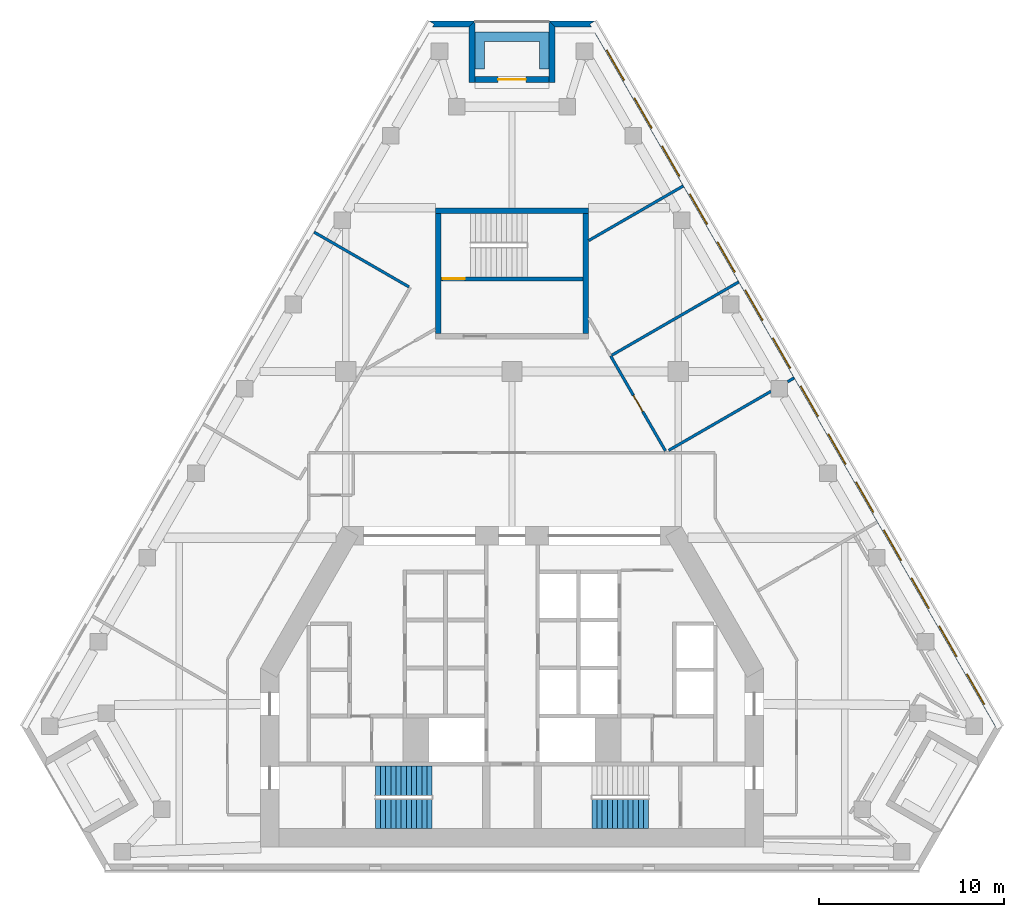
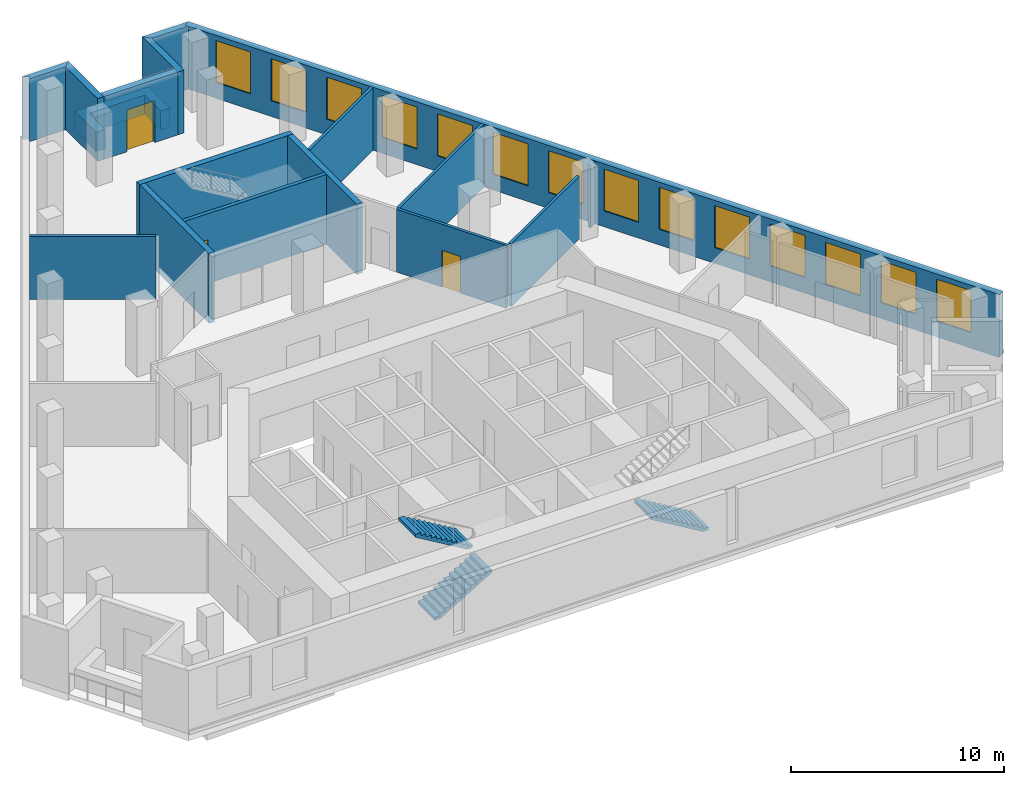
# One storey, part 6 of 8: 17 walls, 14 windows, 3 doors, 3 stair flights, 17 openings, 2 elements without a shape of their own.
"""IFC4 building model written with IfcOpenShell, lengths in metres."""

from ifc_helpers import new_model, si_unit, direction, frame, frame_2d, origin, place, context, subcontext, project, spatial, polyline, rectangle, outline, extrude, material, layer, layer_set, type_object, element, fill, aggregate, save


model = new_model("IFC4")

# Units and contexts
model_context = context("Model", 3, precision=1e-05, world=origin(), true_north=direction((0.0, 1.0)))
body_context = subcontext(model_context, "Body", "Model", "MODEL_VIEW")
ifc_project = project(units=[si_unit("LENGTHUNIT", "METRE"), si_unit("AREAUNIT", "SQUARE_METRE"), si_unit("VOLUMEUNIT", "CUBIC_METRE"), si_unit("PLANEANGLEUNIT", "RADIAN"), si_unit("MASSUNIT", "GRAM", prefix="KILO")], contexts=[model_context])

# Site, building, storey
site_placement = place(None, origin())
site = spatial("IfcSite", under=ifc_project, at=site_placement, CompositionType="ELEMENT")
building_placement = place(site_placement, origin())
building = spatial("IfcBuilding", under=site, at=building_placement, Name="Fogline Exchange Tower", CompositionType="ELEMENT")
storey_placement = place(building_placement, frame((0.0, 0.0, 243.5)))
storey = spatial("IfcBuildingStorey", under=building, at=storey_placement, Name="L55", CompositionType="ELEMENT", Elevation=243.5)

# Wall, opening, door
ifc_material_1 = material(Name="Concrete C40", Category="concrete")
ifc_layer_1 = layer(ifc_material_1, 0.199951171875)
ifc_layer_set_1 = layer_set([ifc_layer_1], Name="CW20R")
wall_type_1 = type_object("IfcWallType", Name="CW20R", PredefinedType="SOLIDWALL", material=ifc_layer_set_1)
wall_1_placement = place(storey_placement, frame((-3.85009765625, 32.007080078125, -0.39990234375), z_axis=(0.0, 0.0, 1.0), x_axis=(1.0, 0.0, 0.0)))
wall_1 = element("IfcWall", 1, at=wall_1_placement, inside=storey, type_object=wall_type_1, Name="Stair enclosure wall ST3", PredefinedType="SOLIDWALL", context=body_context, shape_type="SweptSolid", body=[
    extrude(rectangle(XDim=7.7001953125, YDim=0.199951171875, at=frame_2d((3.85009765625, 0.0))), origin(), (0.0, 0.0, 1.0), 4.0),
])
opening_1_placement = place(wall_1_placement, frame((0.10009765625, 0.0, 0.39990234375)))
opening_1 = element("IfcOpeningElement", 2, at=opening_1_placement, cuts=wall_1, Name="Opening T17-C026", PredefinedType="OPENING", context=body_context, shape_type="SweptSolid", body=[
    extrude(rectangle(XDim=1.199951171875, YDim=2.10009765625, at=frame_2d((0.60009765625, 1.050048828125))), frame((0.0, 0.10986328125, 0.0), z_axis=(0.0, -1.0, 0.0), x_axis=(1.0, 0.0, 0.0)), (0.0, 0.0, 1.0), 0.219970703125),
])
ifc_material_2 = material(Name="Steel and timber fire door", Category="steel")
door_type_1 = type_object("IfcDoorType", Name="D-ST1", OperationType="SINGLE_SWING_LEFT", PredefinedType="DOOR", material=ifc_material_2)
door_1_placement = place(opening_1_placement, origin())
door_1 = element("IfcDoor", 3, at=door_1_placement, inside=storey, type_object=door_type_1, Name="Stair door ST3", OperationType="SINGLE_SWING_LEFT", OverallHeight=2.10009765625, OverallWidth=1.199951171875, PredefinedType="DOOR", context=body_context, shape_type="SweptSolid", body=[
    extrude(rectangle(XDim=1.199951171875, YDim=2.10009765625, at=frame_2d((0.60009765625, 1.050048828125))), frame((0.0, 0.02490234375, 0.0), z_axis=(0.0, -1.0, 0.0), x_axis=(1.0, 0.0, 0.0)), (0.0, 0.0, 1.0), 0.050048828125),
])
fill(opening_1, door_1)

# Walls
ifc_layer_2 = layer(ifc_material_1, 0.300048828125)
ifc_layer_set_2 = layer_set([ifc_layer_2], Name="CW30")
wall_type_2 = type_object("IfcWallType", Name="CW30", PredefinedType="SOLIDWALL", material=ifc_layer_set_2)
wall_2_placement = place(storey_placement, frame((-4.14990234375, 35.70703125, -0.39990234375), z_axis=(0.0, 0.0, 1.0), x_axis=(1.0, 0.0, 0.0)))
element("IfcWall", 4, at=wall_2_placement, inside=storey, type_object=wall_type_2, Name="Stair enclosure wall ST3", PredefinedType="SOLIDWALL", context=body_context, shape_type="SweptSolid", body=[
    extrude(rectangle(XDim=8.2998046875, YDim=0.300048828125, at=frame_2d((4.14990234375, 0.0))), origin(), (0.0, 0.0, 1.0), 4.0),
])
for number, where, z_axis, x_axis, name in (
    (5, (-4.0, 29.056884765625, -0.39990234375), (0.0, 0.0, 1.0), (0.0, 1.0, 0.0), "Stair enclosure wall ST3"),
    (6, (4.0, 29.056884765625, -0.39990234375), (0.0, 0.0, 1.0), (0.0, 1.0, 0.0), "Stair enclosure wall ST3"),
):
    element("IfcWall", number, at=place(storey_placement, frame(where, z_axis=z_axis, x_axis=x_axis)), inside=storey, type_object=wall_type_2, Name=name, PredefinedType="SOLIDWALL", context=body_context, shape_type="SweptSolid", body=[
        extrude(rectangle(XDim=6.5, YDim=0.300048828125, at=frame_2d((3.25, 0.0))), origin(), (0.0, 0.0, 1.0), 4.0),
    ])

# Wall, openings, windows
ifc_material_3 = material(Name="Brick masonry", Category="masonry")
ifc_layer_3 = layer(ifc_material_3, 0.340087890625)
ifc_layer_set_3 = layer_set([ifc_layer_3], Name="FW1")
wall_type_3 = type_object("IfcWallType", Name="FW1", PredefinedType="SOLIDWALL", material=ifc_layer_set_3)
wall_3_placement = place(storey_placement, frame((26.39453125, 7.709228515625, 0.0), z_axis=(0.0, 0.0, 1.0), x_axis=(-0.499999383836, 0.866025759527, 0.0)))
wall_3 = element("IfcWall", 7, at=wall_3_placement, inside=storey, type_object=wall_type_3, Name="Brick wall L55 E", PredefinedType="SOLIDWALL", context=body_context, shape_type="SweptSolid", body=[
    extrude(rectangle(XDim=44.08349609375, YDim=0.340087890625, at=frame_2d((22.041748046875, 0.0))), origin(), (0.0, 0.0, 1.0), 3.60009765625),
])
opening_2_placement = place(wall_3_placement, frame((1.520751953125, 0.0, 0.89990234375)))
opening_2 = element("IfcOpeningElement", 8, at=opening_2_placement, cuts=wall_3, Name="Opening W1", PredefinedType="OPENING", context=body_context, shape_type="SweptSolid", body=[
    extrude(rectangle(XDim=1.885009765625, YDim=2.39990234375, at=frame_2d((0.9423828125, 1.199951171875))), frame((0.0, 0.18017578125, 0.0), z_axis=(0.0, -1.0, 0.0), x_axis=(1.0, 0.0, 0.0)), (0.0, 0.0, 1.0), 0.360107421875),
])
opening_3_placement = place(wall_3_placement, frame((4.520751953125, 0.0, 0.89990234375)))
opening_3 = element("IfcOpeningElement", 9, at=opening_3_placement, cuts=wall_3, Name="Opening W1", PredefinedType="OPENING", context=body_context, shape_type="SweptSolid", body=[
    extrude(rectangle(XDim=1.885009765625, YDim=2.39990234375, at=frame_2d((0.9423828125, 1.199951171875))), frame((0.0, 0.18017578125, 0.0), z_axis=(0.0, -1.0, 0.0), x_axis=(1.0, 0.0, 0.0)), (0.0, 0.0, 1.0), 0.360107421875),
])
opening_4_placement = place(wall_3_placement, frame((7.520751953125, 0.0, 0.89990234375)))
opening_4 = element("IfcOpeningElement", 10, at=opening_4_placement, cuts=wall_3, Name="Opening W1", PredefinedType="OPENING", context=body_context, shape_type="SweptSolid", body=[
    extrude(rectangle(XDim=1.885009765625, YDim=2.39990234375, at=frame_2d((0.9423828125, 1.199951171875))), frame((0.0, 0.18017578125, 0.0), z_axis=(0.0, -1.0, 0.0), x_axis=(1.0, 0.0, 0.0)), (0.0, 0.0, 1.0), 0.360107421875),
])
opening_5_placement = place(wall_3_placement, frame((10.520751953125, 0.0, 0.89990234375)))
opening_5 = element("IfcOpeningElement", 11, at=opening_5_placement, cuts=wall_3, Name="Opening W1", PredefinedType="OPENING", context=body_context, shape_type="SweptSolid", body=[
    extrude(rectangle(XDim=1.885009765625, YDim=2.39990234375, at=frame_2d((0.9423828125, 1.199951171875))), frame((0.0, 0.18017578125, 0.0), z_axis=(0.0, -1.0, 0.0), x_axis=(1.0, 0.0, 0.0)), (0.0, 0.0, 1.0), 0.360107421875),
])
opening_6_placement = place(wall_3_placement, frame((13.520751953125, 0.0, 0.89990234375)))
opening_6 = element("IfcOpeningElement", 12, at=opening_6_placement, cuts=wall_3, Name="Opening W1", PredefinedType="OPENING", context=body_context, shape_type="SweptSolid", body=[
    extrude(rectangle(XDim=1.885009765625, YDim=2.39990234375, at=frame_2d((0.9423828125, 1.199951171875))), frame((0.0, 0.18017578125, 0.0), z_axis=(0.0, -1.0, 0.0), x_axis=(1.0, 0.0, 0.0)), (0.0, 0.0, 1.0), 0.360107421875),
])
opening_7_placement = place(wall_3_placement, frame((16.520751953125, 0.0, 0.89990234375)))
opening_7 = element("IfcOpeningElement", 13, at=opening_7_placement, cuts=wall_3, Name="Opening W1", PredefinedType="OPENING", context=body_context, shape_type="SweptSolid", body=[
    extrude(rectangle(XDim=1.885009765625, YDim=2.39990234375, at=frame_2d((0.9423828125, 1.199951171875))), frame((0.0, 0.18017578125, 0.0), z_axis=(0.0, -1.0, 0.0), x_axis=(1.0, 0.0, 0.0)), (0.0, 0.0, 1.0), 0.360107421875),
])
opening_8_placement = place(wall_3_placement, frame((19.520751953125, 0.0, 0.89990234375)))
opening_8 = element("IfcOpeningElement", 14, at=opening_8_placement, cuts=wall_3, Name="Opening W1", PredefinedType="OPENING", context=body_context, shape_type="SweptSolid", body=[
    extrude(rectangle(XDim=1.885009765625, YDim=2.39990234375, at=frame_2d((0.9423828125, 1.199951171875))), frame((0.0, 0.18017578125, 0.0), z_axis=(0.0, -1.0, 0.0), x_axis=(1.0, 0.0, 0.0)), (0.0, 0.0, 1.0), 0.360107421875),
])
opening_9_placement = place(wall_3_placement, frame((22.520751953125, 0.0, 0.89990234375)))
opening_9 = element("IfcOpeningElement", 15, at=opening_9_placement, cuts=wall_3, Name="Opening W1", PredefinedType="OPENING", context=body_context, shape_type="SweptSolid", body=[
    extrude(rectangle(XDim=1.885009765625, YDim=2.39990234375, at=frame_2d((0.9423828125, 1.199951171875))), frame((0.0, 0.18017578125, 0.0), z_axis=(0.0, -1.0, 0.0), x_axis=(1.0, 0.0, 0.0)), (0.0, 0.0, 1.0), 0.360107421875),
])
opening_10_placement = place(wall_3_placement, frame((25.520751953125, 0.0, 0.89990234375)))
opening_10 = element("IfcOpeningElement", 16, at=opening_10_placement, cuts=wall_3, Name="Opening W1", PredefinedType="OPENING", context=body_context, shape_type="SweptSolid", body=[
    extrude(rectangle(XDim=1.885009765625, YDim=2.39990234375, at=frame_2d((0.9423828125, 1.199951171875))), frame((0.0, 0.18017578125, 0.0), z_axis=(0.0, -1.0, 0.0), x_axis=(1.0, 0.0, 0.0)), (0.0, 0.0, 1.0), 0.360107421875),
])
opening_11_placement = place(wall_3_placement, frame((28.520751953125, 0.0, 0.89990234375)))
opening_11 = element("IfcOpeningElement", 17, at=opening_11_placement, cuts=wall_3, Name="Opening W1", PredefinedType="OPENING", context=body_context, shape_type="SweptSolid", body=[
    extrude(rectangle(XDim=1.885009765625, YDim=2.39990234375, at=frame_2d((0.9423828125, 1.199951171875))), frame((0.0, 0.18017578125, 0.0), z_axis=(0.0, -1.0, 0.0), x_axis=(1.0, 0.0, 0.0)), (0.0, 0.0, 1.0), 0.360107421875),
])
opening_12_placement = place(wall_3_placement, frame((31.520751953125, 0.0, 0.89990234375)))
opening_12 = element("IfcOpeningElement", 18, at=opening_12_placement, cuts=wall_3, Name="Opening W1", PredefinedType="OPENING", context=body_context, shape_type="SweptSolid", body=[
    extrude(rectangle(XDim=1.885009765625, YDim=2.39990234375, at=frame_2d((0.9423828125, 1.199951171875))), frame((0.0, 0.18017578125, 0.0), z_axis=(0.0, -1.0, 0.0), x_axis=(1.0, 0.0, 0.0)), (0.0, 0.0, 1.0), 0.360107421875),
])
opening_13_placement = place(wall_3_placement, frame((34.520751953125, 0.0, 0.89990234375)))
opening_13 = element("IfcOpeningElement", 19, at=opening_13_placement, cuts=wall_3, Name="Opening W1", PredefinedType="OPENING", context=body_context, shape_type="SweptSolid", body=[
    extrude(rectangle(XDim=1.885009765625, YDim=2.39990234375, at=frame_2d((0.9423828125, 1.199951171875))), frame((0.0, 0.18017578125, 0.0), z_axis=(0.0, -1.0, 0.0), x_axis=(1.0, 0.0, 0.0)), (0.0, 0.0, 1.0), 0.360107421875),
])
opening_14_placement = place(wall_3_placement, frame((37.520751953125, 0.0, 0.89990234375)))
opening_14 = element("IfcOpeningElement", 20, at=opening_14_placement, cuts=wall_3, Name="Opening W1", PredefinedType="OPENING", context=body_context, shape_type="SweptSolid", body=[
    extrude(rectangle(XDim=1.885009765625, YDim=2.39990234375, at=frame_2d((0.9423828125, 1.199951171875))), frame((0.0, 0.18017578125, 0.0), z_axis=(0.0, -1.0, 0.0), x_axis=(1.0, 0.0, 0.0)), (0.0, 0.0, 1.0), 0.360107421875),
])
opening_15_placement = place(wall_3_placement, frame((40.520751953125, 0.0, 0.89990234375)))
opening_15 = element("IfcOpeningElement", 21, at=opening_15_placement, cuts=wall_3, Name="Opening W1", PredefinedType="OPENING", context=body_context, shape_type="SweptSolid", body=[
    extrude(rectangle(XDim=1.885009765625, YDim=2.39990234375, at=frame_2d((0.9423828125, 1.199951171875))), frame((0.0, 0.18017578125, 0.0), z_axis=(0.0, -1.0, 0.0), x_axis=(1.0, 0.0, 0.0)), (0.0, 0.0, 1.0), 0.360107421875),
])
ifc_material_4 = material(Name="Aluminium and glass", Category="aluminium")
window_type = type_object("IfcWindowType", Name="W1", PartitioningType="SINGLE_PANEL", PredefinedType="WINDOW", material=ifc_material_4)
window_1_placement = place(opening_2_placement, origin())
window_1 = element("IfcWindow", 22, at=window_1_placement, inside=storey, type_object=window_type, Name="W1 W1", OverallHeight=2.39990234375, OverallWidth=1.885009765625, PartitioningType="SINGLE_PANEL", PredefinedType="WINDOW", context=body_context, shape_type="SweptSolid", body=[
    extrude(rectangle(XDim=1.885009765625, YDim=2.39990234375, at=frame_2d((0.9423828125, 1.199951171875))), frame((0.0, 0.110107421875, 0.0), z_axis=(0.0, -1.0, 0.0), x_axis=(1.0, 0.0, 0.0)), (0.0, 0.0, 1.0), 0.06005859375),
])
fill(opening_2, window_1)
window_2_placement = place(opening_3_placement, origin())
window_2 = element("IfcWindow", 23, at=window_2_placement, inside=storey, type_object=window_type, Name="W1 W1", OverallHeight=2.39990234375, OverallWidth=1.885009765625, PartitioningType="SINGLE_PANEL", PredefinedType="WINDOW", context=body_context, shape_type="SweptSolid", body=[
    extrude(rectangle(XDim=1.885009765625, YDim=2.39990234375, at=frame_2d((0.9423828125, 1.199951171875))), frame((0.0, 0.110107421875, 0.0), z_axis=(0.0, -1.0, 0.0), x_axis=(1.0, 0.0, 0.0)), (0.0, 0.0, 1.0), 0.06005859375),
])
fill(opening_3, window_2)
window_3_placement = place(opening_4_placement, origin())
window_3 = element("IfcWindow", 24, at=window_3_placement, inside=storey, type_object=window_type, Name="W1 W1", OverallHeight=2.39990234375, OverallWidth=1.885009765625, PartitioningType="SINGLE_PANEL", PredefinedType="WINDOW", context=body_context, shape_type="SweptSolid", body=[
    extrude(rectangle(XDim=1.885009765625, YDim=2.39990234375, at=frame_2d((0.9423828125, 1.199951171875))), frame((0.0, 0.110107421875, 0.0), z_axis=(0.0, -1.0, 0.0), x_axis=(1.0, 0.0, 0.0)), (0.0, 0.0, 1.0), 0.06005859375),
])
fill(opening_4, window_3)
window_4_placement = place(opening_5_placement, origin())
window_4 = element("IfcWindow", 25, at=window_4_placement, inside=storey, type_object=window_type, Name="W1 W1", OverallHeight=2.39990234375, OverallWidth=1.885009765625, PartitioningType="SINGLE_PANEL", PredefinedType="WINDOW", context=body_context, shape_type="SweptSolid", body=[
    extrude(rectangle(XDim=1.885009765625, YDim=2.39990234375, at=frame_2d((0.9423828125, 1.199951171875))), frame((0.0, 0.110107421875, 0.0), z_axis=(0.0, -1.0, 0.0), x_axis=(1.0, 0.0, 0.0)), (0.0, 0.0, 1.0), 0.06005859375),
])
fill(opening_5, window_4)
window_5_placement = place(opening_6_placement, origin())
window_5 = element("IfcWindow", 26, at=window_5_placement, inside=storey, type_object=window_type, Name="W1 W1", OverallHeight=2.39990234375, OverallWidth=1.885009765625, PartitioningType="SINGLE_PANEL", PredefinedType="WINDOW", context=body_context, shape_type="SweptSolid", body=[
    extrude(rectangle(XDim=1.885009765625, YDim=2.39990234375, at=frame_2d((0.9423828125, 1.199951171875))), frame((0.0, 0.110107421875, 0.0), z_axis=(0.0, -1.0, 0.0), x_axis=(1.0, 0.0, 0.0)), (0.0, 0.0, 1.0), 0.06005859375),
])
fill(opening_6, window_5)
window_6_placement = place(opening_7_placement, origin())
window_6 = element("IfcWindow", 27, at=window_6_placement, inside=storey, type_object=window_type, Name="W1 W1", OverallHeight=2.39990234375, OverallWidth=1.885009765625, PartitioningType="SINGLE_PANEL", PredefinedType="WINDOW", context=body_context, shape_type="SweptSolid", body=[
    extrude(rectangle(XDim=1.885009765625, YDim=2.39990234375, at=frame_2d((0.9423828125, 1.199951171875))), frame((0.0, 0.110107421875, 0.0), z_axis=(0.0, -1.0, 0.0), x_axis=(1.0, 0.0, 0.0)), (0.0, 0.0, 1.0), 0.06005859375),
])
fill(opening_7, window_6)
window_7_placement = place(opening_8_placement, origin())
window_7 = element("IfcWindow", 28, at=window_7_placement, inside=storey, type_object=window_type, Name="W1 W1", OverallHeight=2.39990234375, OverallWidth=1.885009765625, PartitioningType="SINGLE_PANEL", PredefinedType="WINDOW", context=body_context, shape_type="SweptSolid", body=[
    extrude(rectangle(XDim=1.885009765625, YDim=2.39990234375, at=frame_2d((0.9423828125, 1.199951171875))), frame((0.0, 0.110107421875, 0.0), z_axis=(0.0, -1.0, 0.0), x_axis=(1.0, 0.0, 0.0)), (0.0, 0.0, 1.0), 0.06005859375),
])
fill(opening_8, window_7)
window_8_placement = place(opening_9_placement, origin())
window_8 = element("IfcWindow", 29, at=window_8_placement, inside=storey, type_object=window_type, Name="W1 W1", OverallHeight=2.39990234375, OverallWidth=1.885009765625, PartitioningType="SINGLE_PANEL", PredefinedType="WINDOW", context=body_context, shape_type="SweptSolid", body=[
    extrude(rectangle(XDim=1.885009765625, YDim=2.39990234375, at=frame_2d((0.9423828125, 1.199951171875))), frame((0.0, 0.110107421875, 0.0), z_axis=(0.0, -1.0, 0.0), x_axis=(1.0, 0.0, 0.0)), (0.0, 0.0, 1.0), 0.06005859375),
])
fill(opening_9, window_8)
window_9_placement = place(opening_10_placement, origin())
window_9 = element("IfcWindow", 30, at=window_9_placement, inside=storey, type_object=window_type, Name="W1 W1", OverallHeight=2.39990234375, OverallWidth=1.885009765625, PartitioningType="SINGLE_PANEL", PredefinedType="WINDOW", context=body_context, shape_type="SweptSolid", body=[
    extrude(rectangle(XDim=1.885009765625, YDim=2.39990234375, at=frame_2d((0.9423828125, 1.199951171875))), frame((0.0, 0.110107421875, 0.0), z_axis=(0.0, -1.0, 0.0), x_axis=(1.0, 0.0, 0.0)), (0.0, 0.0, 1.0), 0.06005859375),
])
fill(opening_10, window_9)
window_10_placement = place(opening_11_placement, origin())
window_10 = element("IfcWindow", 31, at=window_10_placement, inside=storey, type_object=window_type, Name="W1 W1", OverallHeight=2.39990234375, OverallWidth=1.885009765625, PartitioningType="SINGLE_PANEL", PredefinedType="WINDOW", context=body_context, shape_type="SweptSolid", body=[
    extrude(rectangle(XDim=1.885009765625, YDim=2.39990234375, at=frame_2d((0.9423828125, 1.199951171875))), frame((0.0, 0.110107421875, 0.0), z_axis=(0.0, -1.0, 0.0), x_axis=(1.0, 0.0, 0.0)), (0.0, 0.0, 1.0), 0.06005859375),
])
fill(opening_11, window_10)
window_11_placement = place(opening_12_placement, origin())
window_11 = element("IfcWindow", 32, at=window_11_placement, inside=storey, type_object=window_type, Name="W1 W1", OverallHeight=2.39990234375, OverallWidth=1.885009765625, PartitioningType="SINGLE_PANEL", PredefinedType="WINDOW", context=body_context, shape_type="SweptSolid", body=[
    extrude(rectangle(XDim=1.885009765625, YDim=2.39990234375, at=frame_2d((0.9423828125, 1.199951171875))), frame((0.0, 0.110107421875, 0.0), z_axis=(0.0, -1.0, 0.0), x_axis=(1.0, 0.0, 0.0)), (0.0, 0.0, 1.0), 0.06005859375),
])
fill(opening_12, window_11)
window_12_placement = place(opening_13_placement, origin())
window_12 = element("IfcWindow", 33, at=window_12_placement, inside=storey, type_object=window_type, Name="W1 W1", OverallHeight=2.39990234375, OverallWidth=1.885009765625, PartitioningType="SINGLE_PANEL", PredefinedType="WINDOW", context=body_context, shape_type="SweptSolid", body=[
    extrude(rectangle(XDim=1.885009765625, YDim=2.39990234375, at=frame_2d((0.9423828125, 1.199951171875))), frame((0.0, 0.110107421875, 0.0), z_axis=(0.0, -1.0, 0.0), x_axis=(1.0, 0.0, 0.0)), (0.0, 0.0, 1.0), 0.06005859375),
])
fill(opening_13, window_12)
window_13_placement = place(opening_14_placement, origin())
window_13 = element("IfcWindow", 34, at=window_13_placement, inside=storey, type_object=window_type, Name="W1 W1", OverallHeight=2.39990234375, OverallWidth=1.885009765625, PartitioningType="SINGLE_PANEL", PredefinedType="WINDOW", context=body_context, shape_type="SweptSolid", body=[
    extrude(rectangle(XDim=1.885009765625, YDim=2.39990234375, at=frame_2d((0.9423828125, 1.199951171875))), frame((0.0, 0.110107421875, 0.0), z_axis=(0.0, -1.0, 0.0), x_axis=(1.0, 0.0, 0.0)), (0.0, 0.0, 1.0), 0.06005859375),
])
fill(opening_14, window_13)
window_14_placement = place(opening_15_placement, origin())
window_14 = element("IfcWindow", 35, at=window_14_placement, inside=storey, type_object=window_type, Name="W1 W1", OverallHeight=2.39990234375, OverallWidth=1.885009765625, PartitioningType="SINGLE_PANEL", PredefinedType="WINDOW", context=body_context, shape_type="SweptSolid", body=[
    extrude(rectangle(XDim=1.885009765625, YDim=2.39990234375, at=frame_2d((0.9423828125, 1.199951171875))), frame((0.0, 0.110107421875, 0.0), z_axis=(0.0, -1.0, 0.0), x_axis=(1.0, 0.0, 0.0)), (0.0, 0.0, 1.0), 0.06005859375),
])
fill(opening_15, window_14)

# Walls
wall_4_placement = place(storey_placement, origin())
element("IfcWall", 36, at=wall_4_placement, inside=storey, type_object=wall_type_3, Name="Brick wall L55 N-c1", PredefinedType="SOLIDWALL", context=body_context, shape_type="SweptSolid", body=[
    extrude(outline(polyline([(1.9990234375, 45.97216796875), (4.5009765625, 45.97216796875), (4.501220703125, 45.9716796875), (4.206298828125, 45.801513671875), (4.3046875, 45.631103515625), (2.33984375, 45.631103515625), (1.998779296875, 45.971923828125), (1.9990234375, 45.97216796875)])), origin(), (0.0, 0.0, 1.0), 3.60009765625),
])
wall_5_placement = place(storey_placement, origin())
element("IfcWall", 37, at=wall_5_placement, inside=storey, type_object=wall_type_3, Name="Brick wall L55 N-s1", PredefinedType="SOLIDWALL", context=body_context, shape_type="SweptSolid", body=[
    extrude(outline(polyline([(2.340576171875, 42.631103515625), (1.99951171875, 42.631103515625), (1.99951171875, 45.97265625), (1.999755859375, 45.972900390625), (2.340576171875, 45.6318359375), (2.340576171875, 42.631103515625)])), origin(), (0.0, 0.0, 1.0), 3.60009765625),
])

# Wall, opening, door
wall_6_placement = place(storey_placement, frame((2.0, 42.8017578125, 0.0), z_axis=(0.0, 0.0, 1.0), x_axis=(-1.0, 0.0, 0.0)))
wall_6 = element("IfcWall", 38, at=wall_6_placement, inside=storey, type_object=wall_type_3, Name="Brick wall L55 N-bk", PredefinedType="SOLIDWALL", context=body_context, shape_type="SweptSolid", body=[
    extrude(rectangle(XDim=4.0, YDim=0.340087890625, at=frame_2d((2.0, 0.0))), origin(), (0.0, 0.0, 1.0), 3.60009765625),
])
opening_16_placement = place(wall_6_placement, frame((1.25, 0.0, 0.0)))
opening_16 = element("IfcOpeningElement", 39, at=opening_16_placement, cuts=wall_6, Name="Opening T17-E141", PredefinedType="OPENING", context=body_context, shape_type="SweptSolid", body=[
    extrude(rectangle(XDim=1.5, YDim=2.39990234375, at=frame_2d((0.75, 1.199951171875))), frame((0.0, 0.18017578125, 0.0), z_axis=(0.0, -1.0, 0.0), x_axis=(1.0, 0.0, 0.0)), (0.0, 0.0, 1.0), 0.360107421875),
])
door_type_2 = type_object("IfcDoorType", Name="ED4", OperationType="SINGLE_SWING_LEFT", PredefinedType="DOOR", material=ifc_material_4)
door_2_placement = place(opening_16_placement, frame((1.5, 0.0, 0.0), z_axis=(0.0, 0.0, 1.0), x_axis=(-1.0, 0.0, 0.0)))
door_2 = element("IfcDoor", 40, at=door_2_placement, inside=storey, type_object=door_type_2, Name="Balcony door L55 N", OperationType="DOUBLE_DOOR_SINGLE_SWING", OverallHeight=2.39990234375, OverallWidth=1.5, PredefinedType="DOOR", context=body_context, shape_type="SweptSolid", body=[
    extrude(rectangle(XDim=1.5, YDim=2.39990234375, at=frame_2d((0.75, 1.199951171875))), frame((0.0, 0.02490234375, 0.0), z_axis=(0.0, -1.0, 0.0), x_axis=(1.0, 0.0, 0.0)), (0.0, 0.0, 1.0), 0.050048828125),
])
fill(opening_16, door_2)

# Walls
wall_7_placement = place(storey_placement, origin())
element("IfcWall", 41, at=wall_7_placement, inside=storey, type_object=wall_type_3, Name="Brick wall L55 N-s2", PredefinedType="SOLIDWALL", context=body_context, shape_type="SweptSolid", body=[
    extrude(outline(polyline([(-1.99951171875, 45.97265625), (-1.99951171875, 42.631103515625), (-2.340576171875, 42.631103515625), (-2.340576171875, 45.6318359375), (-1.999755859375, 45.972900390625), (-1.99951171875, 45.97265625)])), origin(), (0.0, 0.0, 1.0), 3.60009765625),
])
wall_8_placement = place(storey_placement, origin())
element("IfcWall", 42, at=wall_8_placement, inside=storey, type_object=wall_type_3, Name="Brick wall L55 N-c2", PredefinedType="SOLIDWALL", context=body_context, shape_type="SweptSolid", body=[
    extrude(outline(polyline([(-4.3046875, 45.631103515625), (-4.206298828125, 45.801513671875), (-4.501220703125, 45.9716796875), (-4.5009765625, 45.97216796875), (-1.9990234375, 45.97216796875), (-1.998779296875, 45.971923828125), (-2.33984375, 45.631103515625), (-4.3046875, 45.631103515625)])), origin(), (0.0, 0.0, 1.0), 3.60009765625),
])
ifc_material_5 = material(Name="Concrete C30", Category="concrete")
ifc_layer_4 = layer(ifc_material_5, 0.199951171875)
ifc_layer_set_4 = layer_set([ifc_layer_4], Name="PL1")
wall_type_4 = type_object("IfcWallType", Name="PL1", PredefinedType="USERDEFINED", material=ifc_layer_set_4)
wall_9_placement = place(storey_placement, origin())
element("IfcWall", 43, at=wall_9_placement, inside=storey, type_object=wall_type_4, Name="PLANTER balcony L55 N", ObjectType="PLANTER", PredefinedType="USERDEFINED", context=body_context, shape_type="SweptSolid", body=[
    extrude(outline(polyline([(-1.5, 45.37158203125), (-2.0, 45.37158203125), (-2.0, 44.87158203125), (-2.0, 43.37158203125), (-1.5, 43.37158203125), (-1.5, 44.87158203125), (1.5, 44.87158203125), (1.5, 43.37158203125), (2.0, 43.37158203125), (2.0, 44.87158203125), (2.0, 45.37158203125), (1.5, 45.37158203125), (-1.5, 45.37158203125)])), origin(), (0.0, 0.0, 1.0), 1.10009765625),
])
ifc_material_6 = material(Name="Plasterboard demising partition with mineral wool and acoustic board")
ifc_layer_5 = layer(ifc_material_6, 0.14990234375)
ifc_layer_set_5 = layer_set([ifc_layer_5], Name="PW3")
wall_type_5 = type_object("IfcWallType", Name="PW3", PredefinedType="PARTITIONING", material=ifc_layer_set_5)
wall_10_placement = place(storey_placement, frame((8.48046875, 22.727783203125, 0.0), z_axis=(0.0, 0.0, 1.0), x_axis=(0.86602855878, 0.499994535347, 0.0)))
element("IfcWall", 44, at=wall_10_placement, inside=storey, type_object=wall_type_5, Name="wall-L55-W015", PredefinedType="PARTITIONING", context=body_context, shape_type="SweptSolid", body=[
    extrude(rectangle(XDim=6.39501953125, YDim=0.14990234375, at=frame_2d((3.197509765625, 0.0))), origin(), (0.0, 0.0, 1.0), 3.60009765625),
])
wall_11_placement = place(storey_placement, frame((14.918701171875, 26.44482421875, 0.0), z_axis=(0.0, 0.0, 1.0), x_axis=(0.866134844219, 0.499810395679, 0.0)))
element("IfcWall", 45, at=wall_11_placement, inside=storey, type_object=wall_type_5, Name="wall-L55-W016", PredefinedType="PARTITIONING", context=body_context, shape_type="SweptSolid", body=[
    extrude(rectangle(XDim=0.400634765625, YDim=0.14990234375, at=frame_2d((0.2001953125, 0.0))), origin(), (0.0, 0.0, 1.0), 3.60009765625),
])
wall_12_placement = place(storey_placement, frame((5.40234375, 27.878662109375, 0.0), z_axis=(0.0, 0.0, 1.0), x_axis=(0.866018344059, 0.500012227604, 0.0)))
element("IfcWall", 46, at=wall_12_placement, inside=storey, type_object=wall_type_5, Name="wall-L55-W019", PredefinedType="PARTITIONING", context=body_context, shape_type="SweptSolid", body=[
    extrude(rectangle(XDim=7.925048828125, YDim=0.14990234375, at=frame_2d((3.96240234375, 0.0))), origin(), (0.0, 0.0, 1.0), 3.60009765625),
])

# Wall, opening, door
wall_13_placement = place(storey_placement, frame((8.305419921875, 22.700439453125, 0.0), z_axis=(0.0, 0.0, 1.0), x_axis=(-0.499991837581, 0.866030116308, 0.0)))
wall_13 = element("IfcWall", 47, at=wall_13_placement, inside=storey, type_object=wall_type_5, Name="wall-L55-W020", PredefinedType="PARTITIONING", context=body_context, shape_type="SweptSolid", body=[
    extrude(rectangle(XDim=5.93603515625, YDim=0.14990234375, at=frame_2d((2.968017578125, 0.0))), origin(), (0.0, 0.0, 1.0), 3.60009765625),
])
opening_17_placement = place(wall_13_placement, frame((2.468017578125, 0.0, 0.0)))
opening_17 = element("IfcOpeningElement", 48, at=opening_17_placement, cuts=wall_13, Name="Opening T17-D008", PredefinedType="OPENING", context=body_context, shape_type="SweptSolid", body=[
    extrude(rectangle(XDim=1.0, YDim=2.10009765625, at=frame_2d((0.5, 1.050048828125))), frame((0.0, 0.0849609375, 0.0), z_axis=(0.0, -1.0, 0.0), x_axis=(1.0, 0.0, 0.0)), (0.0, 0.0, 1.0), 0.169921875),
])
ifc_material_7 = material(Name="Fire-rated timber door leaf with steel frame", Category="steel")
door_type_3 = type_object("IfcDoorType", Name="D3", OperationType="SINGLE_SWING_LEFT", PredefinedType="DOOR", material=ifc_material_7)
door_3_placement = place(opening_17_placement, frame((1.0, 0.0, 0.0), z_axis=(0.0, 0.0, 1.0), x_axis=(-1.0, 0.0, 0.0)))
door_3 = element("IfcDoor", 49, at=door_3_placement, inside=storey, type_object=door_type_3, Name="door-L55-D008", OperationType="SINGLE_SWING_RIGHT", OverallHeight=2.10009765625, OverallWidth=1.0, PredefinedType="DOOR", context=body_context, shape_type="SweptSolid", body=[
    extrude(rectangle(XDim=1.0, YDim=2.10009765625, at=frame_2d((0.5, 1.050048828125))), frame((0.0, 0.02490234375, 0.0), z_axis=(0.0, -1.0, 0.0), x_axis=(1.0, 0.0, 0.0)), (0.0, 0.0, 1.0), 0.050048828125),
])
fill(opening_17, door_3)

# Walls
wall_14_placement = place(storey_placement, frame((4.14990234375, 34.083984375, 0.0), z_axis=(0.0, 0.0, 1.0), x_axis=(0.866039676728, 0.499975277722, 0.0)))
element("IfcWall", 50, at=wall_14_placement, inside=storey, type_object=wall_type_5, Name="wall-L55-W021", PredefinedType="PARTITIONING", context=body_context, shape_type="SweptSolid", body=[
    extrude(rectangle(XDim=5.906982421875, YDim=0.14990234375, at=frame_2d((2.95361328125, 0.0))), origin(), (0.0, 0.0, 1.0), 3.60009765625),
])
wall_15_placement = place(storey_placement, frame((-5.576904296875, 31.576416015625, 0.0), z_axis=(0.0, 0.0, 1.0), x_axis=(-0.866028447878, 0.499994727438, 0.0)))
element("IfcWall", 51, at=wall_15_placement, inside=storey, type_object=wall_type_5, Name="wall-L55-W025", PredefinedType="PARTITIONING", context=body_context, shape_type="SweptSolid", body=[
    extrude(rectangle(XDim=5.9248046875, YDim=0.14990234375, at=frame_2d((2.96240234375, 0.0))), origin(), (0.0, 0.0, 1.0), 3.60009765625),
])

# Stair, stair flights
stair_type = type_object("IfcStairType", Name="STR24-1667", PredefinedType="HALF_TURN_STAIR", material=ifc_material_1)
stair_1_placement = place(storey_placement, origin())
stair_1 = element("IfcStair", 52, at=stair_1_placement, inside=storey, type_object=stair_type, Name="Stair ST1", PredefinedType="HALF_TURN_STAIR")
stair_flight_type = type_object("IfcStairFlightType", Name="SF12-1667", PredefinedType="STRAIGHT", material=ifc_material_1)
stair_flight_1_placement = place(storey_placement, frame((-7.39990234375, 3.050048828125, 0.0), z_axis=(0.0, 0.0, 1.0), x_axis=(1.0, 0.0, 0.0)))
stair_flight_1 = element("IfcStairFlight", 53, at=stair_flight_1_placement, type_object=stair_flight_type, Name="ST1 flight 1", NumberOfRisers=12, NumberOfTreads=11, PredefinedType="STRAIGHT", RiserHeight=0.166666667, TreadLength=0.28, context=body_context, shape_type="SweptSolid", body=[
    extrude(outline(polyline([(0.0, 0.0), (0.0, 0.166748046875), (0.280029296875, 0.166748046875), (0.280029296875, 0.333251953125), (0.56005859375, 0.333251953125), (0.56005859375, 0.5), (0.840087890625, 0.5), (0.840087890625, 0.666748046875), (1.1201171875, 0.666748046875), (1.1201171875, 0.833251953125), (1.39990234375, 0.833251953125), (1.39990234375, 1.0), (1.679931640625, 1.0), (1.679931640625, 1.166748046875), (1.9599609375, 1.166748046875), (1.9599609375, 1.333251953125), (2.239990234375, 1.333251953125), (2.239990234375, 1.5), (2.52001953125, 1.5), (2.52001953125, 1.666748046875), (2.800048828125, 1.666748046875), (2.800048828125, 1.833251953125), (3.080078125, 1.833251953125), (3.080078125, 2.0), (3.080078125, 1.658935546875), (0.29296875, 0.0), (0.0, 0.0)])), frame((0.0, 0.800048828125, 0.0), z_axis=(0.0, -1.0, 0.0), x_axis=(1.0, 0.0, 0.0)), (0.0, 0.0, 1.0), 1.60009765625),
])
stair_flight_2_placement = place(storey_placement, frame((-4.320068359375, 4.85009765625, 2.0), z_axis=(0.0, 0.0, 1.0), x_axis=(-1.0, 0.0, 0.0)))
stair_flight_2 = element("IfcStairFlight", 54, at=stair_flight_2_placement, type_object=stair_flight_type, Name="ST1 flight 2", NumberOfRisers=12, NumberOfTreads=11, PredefinedType="STRAIGHT", RiserHeight=0.166666667, TreadLength=0.28, context=body_context, shape_type="SweptSolid", body=[
    extrude(outline(polyline([(0.0, 0.0), (0.0, 0.166748046875), (0.280029296875, 0.166748046875), (0.280029296875, 0.333251953125), (0.56005859375, 0.333251953125), (0.56005859375, 0.5), (0.840087890625, 0.5), (0.840087890625, 0.666748046875), (1.1201171875, 0.666748046875), (1.1201171875, 0.833251953125), (1.39990234375, 0.833251953125), (1.39990234375, 1.0), (1.679931640625, 1.0), (1.679931640625, 1.166748046875), (1.9599609375, 1.166748046875), (1.9599609375, 1.333251953125), (2.239990234375, 1.333251953125), (2.239990234375, 1.5), (2.52001953125, 1.5), (2.52001953125, 1.666748046875), (2.800048828125, 1.666748046875), (2.800048828125, 1.833251953125), (3.080078125, 1.833251953125), (3.080078125, 2.0), (3.080078125, 1.658935546875), (0.29296875, 0.0), (0.0, 0.0)])), frame((0.0, 0.800048828125, 0.0), z_axis=(0.0, -1.0, 0.0), x_axis=(1.0, 0.0, 0.0)), (0.0, 0.0, 1.0), 1.60009765625),
])
aggregate(stair_1, [stair_flight_1, stair_flight_2])

# Stair, stair flight
stair_2_placement = place(storey_placement, origin())
stair_2 = element("IfcStair", 55, at=stair_2_placement, inside=storey, type_object=stair_type, Name="Stair ST2", PredefinedType="HALF_TURN_STAIR")
stair_flight_3_placement = place(storey_placement, frame((7.39990234375, 3.050048828125, 0.0), z_axis=(0.0, 0.0, 1.0), x_axis=(-1.0, 0.0, 0.0)))
stair_flight_3 = element("IfcStairFlight", 56, at=stair_flight_3_placement, type_object=stair_flight_type, Name="ST2 flight 1", NumberOfRisers=12, NumberOfTreads=11, PredefinedType="STRAIGHT", RiserHeight=0.166666667, TreadLength=0.28, context=body_context, shape_type="SweptSolid", body=[
    extrude(outline(polyline([(0.0, 0.0), (0.0, 0.166748046875), (0.280029296875, 0.166748046875), (0.280029296875, 0.333251953125), (0.56005859375, 0.333251953125), (0.56005859375, 0.5), (0.840087890625, 0.5), (0.840087890625, 0.666748046875), (1.1201171875, 0.666748046875), (1.1201171875, 0.833251953125), (1.39990234375, 0.833251953125), (1.39990234375, 1.0), (1.679931640625, 1.0), (1.679931640625, 1.166748046875), (1.9599609375, 1.166748046875), (1.9599609375, 1.333251953125), (2.239990234375, 1.333251953125), (2.239990234375, 1.5), (2.52001953125, 1.5), (2.52001953125, 1.666748046875), (2.800048828125, 1.666748046875), (2.800048828125, 1.833251953125), (3.080078125, 1.833251953125), (3.080078125, 2.0), (3.080078125, 1.658935546875), (0.29296875, 0.0), (0.0, 0.0)])), frame((0.0, 0.800048828125, 0.0), z_axis=(0.0, -1.0, 0.0), x_axis=(1.0, 0.0, 0.0)), (0.0, 0.0, 1.0), 1.60009765625),
])
aggregate(stair_2, [stair_flight_3])

save(model, "model.ifc")
